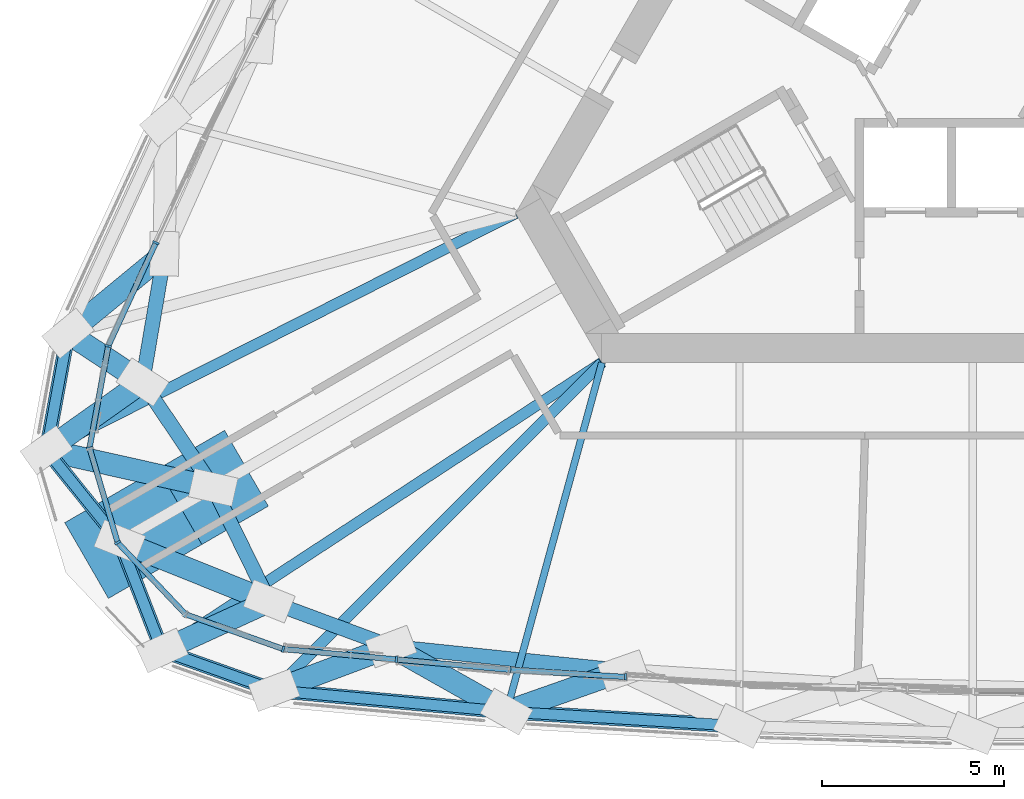
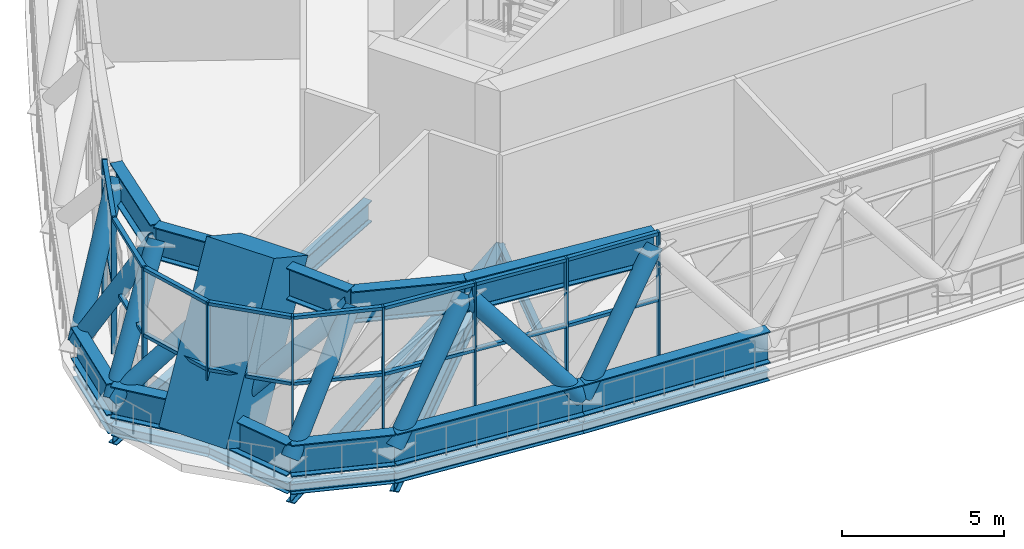
# One storey, part 1 of 35: 46 members, 10 beams, 3 elements without a shape of their own.
"""IFC4 building model written with IfcOpenShell, lengths in metres."""

import ifcopenshell
import ifcopenshell.guid

model = None  # the IFC model being written
_history = None  # IfcOwnerHistory: only IFC2X3 demands one
_inside = {}  # id of a spatial element -> (the spatial element, [elements in it])
_under = {}  # id of a project, library or spatial element -> (it, [spatial elements below it])
_declared = {}  # id of a project -> (the project, [libraries it declares])
_typed = {}  # id of a type object -> (the type object, [elements of that type])
_made_of = {}  # id of a material, layer set ... -> (it, [elements and type objects made of it])


def new_model(schema):
    """Start an empty IFC model of exactly this schema.

    Asked for "IFC4X3", IfcOpenShell would pick the latest addendum, in which some entities
    have other attributes; the version numbers below select the first issue.
    IFC2X3 requires an IfcOwnerHistory on every rooted entity: one is made here for all.
    """
    global model, _history
    if schema == "IFC4X3":
        model = ifcopenshell.file(schema_version=(4, 3, 0, 0))
    else:
        model = ifcopenshell.file(schema=schema)
    _inside.clear()
    _under.clear()
    _declared.clear()
    _typed.clear()
    _made_of.clear()
    _history = None
    if model.schema == "IFC2X3":
        org = make("IfcOrganization", Name="unknown")
        user = make(
            "IfcPersonAndOrganization",
            ThePerson=make("IfcPerson", FamilyName="unknown"),
            TheOrganization=org,
        )
        app = make(
            "IfcApplication",
            ApplicationDeveloper=org,
            Version="unknown",
            ApplicationFullName="unknown",
            ApplicationIdentifier="unknown",
        )
        _history = make(
            "IfcOwnerHistory",
            OwningUser=user,
            OwningApplication=app,
            ChangeAction="ADDED",
            CreationDate=0,
        )
    return model


def make(cls, **values):
    """One entity of the class cls with the attributes given. An attribute that is None is left unset."""
    return model.create_entity(
        cls, **{name: value for name, value in values.items() if value is not None}
    )


def rooted(cls, **values):
    """An entity with a GlobalId (a new one), such as an element, a storey or a relation."""
    return make(cls, GlobalId=ifcopenshell.guid.new(), OwnerHistory=_history, **values)


def si_unit(unit_type, name, prefix=None):
    """IfcSIUnit, for example si_unit("LENGTHUNIT", "METRE", prefix="MILLI")."""
    return make("IfcSIUnit", UnitType=unit_type, Prefix=prefix, Name=name)


def assignment(units):
    """IfcUnitAssignment: the units of a project."""
    return None if units is None else make("IfcUnitAssignment", Units=units)


def point(xyz):
    """IfcCartesianPoint."""
    return None if xyz is None else make("IfcCartesianPoint", Coordinates=xyz)


def direction(xyz):
    """IfcDirection."""
    return None if xyz is None else make("IfcDirection", DirectionRatios=xyz)


def frame(location, z_axis=None, x_axis=None):
    """IfcAxis2Placement3D, a coordinate frame: its origin and axes. An axis left out is left unset."""
    return make(
        "IfcAxis2Placement3D",
        Location=point(location),
        Axis=direction(z_axis),
        RefDirection=direction(x_axis),
    )


def frame_2d(location, x_axis=None):
    """IfcAxis2Placement2D, a coordinate frame in the plane: its origin and x axis."""
    return make(
        "IfcAxis2Placement2D", Location=point(location), RefDirection=direction(x_axis)
    )


def origin():
    """The frame at (0, 0, 0) with its axes left unset."""
    return frame((0.0, 0.0, 0.0))


def origin_2d():
    """The frame at (0, 0) in the plane with its x axis left unset."""
    return frame_2d((0.0, 0.0))


def place(relative_to, where):
    """IfcLocalPlacement: puts the frame where relative to a parent placement (None: the world)."""
    return make(
        "IfcLocalPlacement", PlacementRelTo=relative_to, RelativePlacement=where
    )


def context(
    kind, dimensions, precision=None, world=None, true_north=None, identifier=None
):
    """IfcGeometricRepresentationContext, for example the 3D "Model" context."""
    return make(
        "IfcGeometricRepresentationContext",
        ContextIdentifier=identifier,
        ContextType=kind,
        CoordinateSpaceDimension=dimensions,
        Precision=precision,
        WorldCoordinateSystem=world,
        TrueNorth=true_north,
    )


def subcontext(parent, identifier, kind, view, scale=None):
    """IfcGeometricRepresentationSubContext, for example "Body" below "Model"."""
    return make(
        "IfcGeometricRepresentationSubContext",
        ContextIdentifier=identifier,
        ContextType=kind,
        ParentContext=parent,
        TargetScale=scale,
        TargetView=view,
    )


def project(units=None, contexts=None):
    """IfcProject with its units and contexts."""
    return rooted(
        "IfcProject",
        Name="project",
        RepresentationContexts=contexts,
        UnitsInContext=assignment(units),
    )


def spatial(cls, under=None, at=None, **own):
    """A site, building, storey or space (cls), placed at a placement, below another one or the project."""
    s = rooted(cls, ObjectPlacement=at, **own)
    if under is not None:
        _under.setdefault(under.id(), (under, []))[1].append(s)
    return s


def profile(cls, at=None, kind="AREA", **sizes):
    """A parametric profile (cls). Its sizes go by their IFC names, for example OverallWidth=200.0."""
    return make(cls, ProfileType=kind, Position=at, **sizes)


def rectangle(**sizes):
    """IfcRectangleProfileDef."""
    return profile("IfcRectangleProfileDef", **sizes)


def hollow_circle(**sizes):
    """IfcCircleHollowProfileDef."""
    return profile("IfcCircleHollowProfileDef", **sizes)


def i_section(**sizes):
    """IfcIShapeProfileDef."""
    return profile("IfcIShapeProfileDef", **sizes)


def extrude(swept, where, along, depth):
    """IfcExtrudedAreaSolid: the profile swept, set in the frame where, extruded along a direction by depth."""
    return make(
        "IfcExtrudedAreaSolid",
        SweptArea=swept,
        Position=where,
        ExtrudedDirection=direction(along),
        Depth=depth,
    )


def shape(context_of_items, identifier, shape_type, items):
    """IfcShapeRepresentation: the items that make up one representation, for example the "Body"."""
    return make(
        "IfcShapeRepresentation",
        ContextOfItems=context_of_items,
        RepresentationIdentifier=identifier,
        RepresentationType=shape_type,
        Items=items,
    )


def material(Name=None, Category=None):
    """IfcMaterial."""
    return make("IfcMaterial", Name=Name, Category=Category)


def material_profile(
    of_material, cross_section, Name=None, Category=None, Priority=None
):
    """IfcMaterialProfile: a cross section and its material."""
    return make(
        "IfcMaterialProfile",
        Name=Name,
        Material=of_material,
        Profile=cross_section,
        Priority=Priority,
        Category=Category,
    )


def profile_set(profiles, Name=None, composite=None):
    """IfcMaterialProfileSet."""
    return make(
        "IfcMaterialProfileSet",
        Name=Name,
        MaterialProfiles=profiles,
        CompositeProfile=composite,
    )


def made_of(thing, what):
    """Note that an element or type object is made of a material, layer set ...; save() writes the relation."""
    if what is not None:
        _made_of.setdefault(what.id(), (what, []))[1].append(thing)
    return thing


def type_object(cls, material=None, **own):
    """A type object (cls), such as IfcWallType, which elements share."""
    return made_of(rooted(cls, **own), material)


def element(
    cls,
    number,
    at=None,
    inside=None,
    cuts=None,
    type_object=None,
    material=None,
    context=None,
    identifier="Body",
    shape_type=None,
    held_by="IfcProductDefinitionShape",
    body=None,
    shapes=None,
    **own,
):
    """One element of the class cls, such as IfcWall. Its Tag is "e" and its number.

    at: its placement. inside: the storey or other place that contains it. cuts: it is an
    opening in that element (IfcRelVoidsElement). A single representation is given by context,
    identifier, shape_type and body (its items); several are given by shapes. held_by: the class
    of the entity that holds the representations. save() writes the other relations.
    """
    e = rooted(cls, Tag="e%d" % number, ObjectPlacement=at, **own)
    if body is not None:
        shapes = [shape(context, identifier, shape_type, body)]
    if shapes is not None:
        e.Representation = make(held_by, Representations=shapes)
    if inside is not None:
        _inside.setdefault(inside.id(), (inside, []))[1].append(e)
    if cuts is not None:
        rooted(
            "IfcRelVoidsElement", RelatingBuildingElement=cuts, RelatedOpeningElement=e
        )
    if type_object is not None:
        _typed.setdefault(type_object.id(), (type_object, []))[1].append(e)
    return made_of(e, material)


def aggregate(whole, parts):
    """IfcRelAggregates: a whole, such as a stair, and the parts it consists of."""
    return rooted("IfcRelAggregates", RelatingObject=whole, RelatedObjects=parts)


def save(model, path):
    """Write the relations noted so far, then the file.

    IfcRelAggregates (storeys below a building ...), IfcRelContainedInSpatialStructure (elements
    in a storey), IfcRelDefinesByType, IfcRelAssociatesMaterial and IfcRelDeclares: one each for
    every whole, place, type object, material and project.
    """
    for whole, parts in _under.values():
        aggregate(whole, parts)
    for where, things in _inside.values():
        rooted(
            "IfcRelContainedInSpatialStructure",
            RelatedElements=things,
            RelatingStructure=where,
        )
    for kind, things in _typed.values():
        rooted("IfcRelDefinesByType", RelatedObjects=things, RelatingType=kind)
    for what, things in _made_of.values():
        rooted("IfcRelAssociatesMaterial", RelatedObjects=things, RelatingMaterial=what)
    for by, libraries in _declared.values():
        rooted("IfcRelDeclares", RelatingContext=by, RelatedDefinitions=libraries)
    model.write(path)


model = new_model("IFC4")

# Units and contexts
model_context = context("Model", 3, precision=1e-05, world=origin(), true_north=direction((0.0, 1.0)))
body_context = subcontext(model_context, "Body", "Model", "MODEL_VIEW")
ifc_project = project(units=[si_unit("LENGTHUNIT", "METRE"), si_unit("AREAUNIT", "SQUARE_METRE"), si_unit("VOLUMEUNIT", "CUBIC_METRE"), si_unit("PLANEANGLEUNIT", "RADIAN"), si_unit("MASSUNIT", "GRAM", prefix="KILO")], contexts=[model_context])

# Site, building, storey
site_placement = place(None, origin())
site = spatial("IfcSite", under=ifc_project, at=site_placement, CompositionType="ELEMENT")
building_placement = place(site_placement, origin())
building = spatial("IfcBuilding", under=site, at=building_placement, Name="Mestral Congress Tower", CompositionType="ELEMENT")
storey_placement = place(building_placement, frame((0.0, 0.0, 196.199951171875)))
storey = spatial("IfcBuildingStorey", under=building, at=storey_placement, Name="L46", CompositionType="ELEMENT", Elevation=196.199951171875)

# Members
ifc_material_1 = material(Name="Steel S355", Category="steel")
ifc_material_profile_1 = material_profile(ifc_material_1, i_section(OverallWidth=0.39990234375, OverallDepth=1.199951171875, WebThickness=0.02001953125, FlangeThickness=0.0400390625, FilletRadius=0.010009765625, at=origin_2d()), Name="WPG 1200")
ifc_profile_set_1 = profile_set([ifc_material_profile_1], Name="Steel S355")
member_type_1 = type_object("IfcMemberType", Name="Belt chord WPG 1200 S355", PredefinedType="CHORD", material=ifc_profile_set_1)
member_1_placement = place(storey_placement, frame((-22.357421875, -19.437255859375, 0.60009765625), z_axis=(0.995810239959, -0.09144378597, 0.0), x_axis=(0.09144378597, 0.995810239959, 0.0)))
element("IfcMember", 1, at=member_1_placement, inside=storey, type_object=member_type_1, Name="MB-L46-BC3-S00", PredefinedType="CHORD", context=body_context, shape_type="SweptSolid", body=[
    extrude(i_section(OverallWidth=0.39990234375, OverallDepth=1.199951171875, WebThickness=0.02001953125, FlangeThickness=0.0400390625, FilletRadius=0.010009765625, at=origin_2d()), origin(), (0.0, 0.0, 1.0), 6.399658203125),
])
member_2_placement = place(storey_placement, frame((-15.984619140625, -20.0224609375, 0.60009765625), z_axis=(0.998137865433, -0.060998373661, 0.0), x_axis=(0.060998373661, 0.998137865433, 0.0)))
element("IfcMember", 2, at=member_2_placement, inside=storey, type_object=member_type_1, Name="MB-L46-BC3-S01", PredefinedType="CHORD", context=body_context, shape_type="SweptSolid", body=[
    extrude(i_section(OverallWidth=0.39990234375, OverallDepth=1.199951171875, WebThickness=0.02001953125, FlangeThickness=0.0400390625, FilletRadius=0.010009765625, at=origin_2d()), origin(), (0.0, 0.0, 1.0), 6.39990234375),
])
member_3_placement = place(storey_placement, frame((-28.01171875, -9.6435546875, 0.60009765625), z_axis=(-0.180729856011, -0.983532774821, 0.0), x_axis=(0.983532774821, -0.180729856011, 0.0)))
element("IfcMember", 3, at=member_3_placement, inside=storey, type_object=member_type_1, Name="MB-L46-BC3-W07", PredefinedType="CHORD", context=body_context, shape_type="SweptSolid", body=[
    extrude(i_section(OverallWidth=0.39990234375, OverallDepth=1.199951171875, WebThickness=0.02001953125, FlangeThickness=0.0400390625, FilletRadius=0.010009765625, at=origin_2d()), origin(), (0.0, 0.0, 1.0), 3.260986328125),
])
for number, where, z_axis, x_axis, name in (
    (4, (-28.60107421875, -12.850830078125, 0.60009765625), (0.626502543472, -0.779419375576, 0.0), (0.779419375576, 0.626502543472, 0.0), "MB-L46-BC3-SW1"),
    (5, (-26.590576171875, -15.35205078125, 0.60009765625), (0.361755943135, -0.932272834317, 0.0), (0.932272834317, 0.361755943135, 0.0), "MB-L46-BC3-SW"),
):
    element("IfcMember", number, at=place(storey_placement, frame(where, z_axis=z_axis, x_axis=x_axis)), inside=storey, type_object=member_type_1, Name=name, PredefinedType="CHORD", context=body_context, shape_type="SweptSolid", body=[
        extrude(i_section(OverallWidth=0.39990234375, OverallDepth=1.199951171875, WebThickness=0.02001953125, FlangeThickness=0.0400390625, FilletRadius=0.010009765625, at=origin_2d()), origin(), (0.0, 0.0, 1.0), 3.208984375),
    ])
member_4_placement = place(storey_placement, frame((-25.4296875, -18.34375, 0.60009765625), z_axis=(0.942103834289, -0.335321286855, 0.0), x_axis=(0.335321286855, 0.942103834289, 0.0)))
element("IfcMember", 6, at=member_4_placement, inside=storey, type_object=member_type_1, Name="MB-L46-BC3-SW3", PredefinedType="CHORD", context=body_context, shape_type="SweptSolid", body=[
    extrude(i_section(OverallWidth=0.39990234375, OverallDepth=1.199951171875, WebThickness=0.02001953125, FlangeThickness=0.0400390625, FilletRadius=0.010009765625, at=origin_2d()), origin(), (0.0, 0.0, 1.0), 3.260986328125),
])
member_5_placement = place(storey_placement, frame((-19.150390625, -18.23681640625, 4.550048828125), z_axis=(0.99462127512, -0.103578564764, 0.0), x_axis=(0.103578564764, 0.99462127512, 0.0)))
element("IfcMember", 7, at=member_5_placement, inside=storey, type_object=member_type_1, Name="MB-L46-TC3-S00", PredefinedType="CHORD", context=body_context, shape_type="SweptSolid", body=[
    extrude(i_section(OverallWidth=0.39990234375, OverallDepth=1.199951171875, WebThickness=0.02001953125, FlangeThickness=0.0400390625, FilletRadius=0.010009765625, at=origin_2d()), origin(), (0.0, 0.0, 1.0), 6.3994140625),
])
member_6_placement = place(storey_placement, frame((-25.368896484375, -7.46630859375, 4.550048828125), z_axis=(-0.167572873606, -0.985859691859, 0.0), x_axis=(0.985859691859, -0.167572873606, 0.0)))
element("IfcMember", 8, at=member_6_placement, inside=storey, type_object=member_type_1, Name="MB-L46-TC3-W06", PredefinedType="CHORD", context=body_context, shape_type="SweptSolid", body=[
    extrude(i_section(OverallWidth=0.39990234375, OverallDepth=1.199951171875, WebThickness=0.02001953125, FlangeThickness=0.0400390625, FilletRadius=0.010009765625, at=origin_2d()), origin(), (0.0, 0.0, 1.0), 3.566650390625),
])
member_7_placement = place(storey_placement, frame((-25.966552734375, -10.982421875, 4.550048828125), z_axis=(0.557206909955, -0.83037368666, 0.0), x_axis=(0.83037368666, 0.557206909955, 0.0)))
element("IfcMember", 9, at=member_7_placement, inside=storey, type_object=member_type_1, Name="MB-L46-TC3-SW1", PredefinedType="CHORD", context=body_context, shape_type="SweptSolid", body=[
    extrude(i_section(OverallWidth=0.39990234375, OverallDepth=1.199951171875, WebThickness=0.02001953125, FlangeThickness=0.0400390625, FilletRadius=0.010009765625, at=origin_2d()), origin(), (0.0, 0.0, 1.0), 3.480224609375),
])
member_8_placement = place(storey_placement, frame((-24.02734375, -13.872314453125, 4.550048828125), z_axis=(0.440494340717, -0.897755387506, 0.0), x_axis=(0.897755387506, 0.440494340717, 0.0)))
element("IfcMember", 10, at=member_8_placement, inside=storey, type_object=member_type_1, Name="MB-L46-TC3-SW", PredefinedType="CHORD", context=body_context, shape_type="SweptSolid", body=[
    extrude(i_section(OverallWidth=0.39990234375, OverallDepth=1.199951171875, WebThickness=0.02001953125, FlangeThickness=0.0400390625, FilletRadius=0.010009765625, at=origin_2d()), origin(), (0.0, 0.0, 1.0), 3.47998046875),
])
member_9_placement = place(storey_placement, frame((-22.494384765625, -16.99658203125, 4.550048828125), z_axis=(0.93759177789, -0.347737915725, 0.0), x_axis=(0.347737915725, 0.93759177789, 0.0)))
element("IfcMember", 11, at=member_9_placement, inside=storey, type_object=member_type_1, Name="MB-L46-TC3-SW3", PredefinedType="CHORD", context=body_context, shape_type="SweptSolid", body=[
    extrude(i_section(OverallWidth=0.39990234375, OverallDepth=1.199951171875, WebThickness=0.02001953125, FlangeThickness=0.0400390625, FilletRadius=0.010009765625, at=origin_2d()), origin(), (0.0, 0.0, 1.0), 3.566650390625),
])
ifc_material_profile_2 = material_profile(ifc_material_1, hollow_circle(Radius=0.304931640625, WallThickness=0.02490234375, at=origin_2d()), Name="CHS 610x25")
ifc_profile_set_2 = profile_set([ifc_material_profile_2], Name="Steel S355")
member_type_2 = type_object("IfcMemberType", Name="Belt diagonal CHS 610x25 S355", PredefinedType="BRACE", material=ifc_profile_set_2)
member_10_placement = place(storey_placement, frame((-22.357421875, -19.437255859375, 0.60009765625), z_axis=(0.613475933993, 0.229633158301, 0.755589763708), x_axis=(-0.350560826054, 0.936539965638, 0.0)))
element("IfcMember", 12, at=member_10_placement, inside=storey, type_object=member_type_2, Name="MD-L46-BD3-S00.S00", PredefinedType="BRACE", context=body_context, shape_type="SweptSolid", body=[
    extrude(hollow_circle(Radius=0.304931640625, WallThickness=0.02490234375, at=origin_2d()), origin(), (0.0, 0.0, 1.0), 5.2275390625),
])
member_11_placement = place(storey_placement, frame((-15.984619140625, -20.0224609375, 0.60009765625), z_axis=(-0.589776154354, 0.332661586561, 0.735867078067), x_axis=(-0.491284602897, -0.870999103878, 0.0)))
element("IfcMember", 13, at=member_11_placement, inside=storey, type_object=member_type_2, Name="MD-L46-BD3-S01.S00", PredefinedType="BRACE", context=body_context, shape_type="SweptSolid", body=[
    extrude(hollow_circle(Radius=0.304931640625, WallThickness=0.02490234375, at=origin_2d()), origin(), (0.0, 0.0, 1.0), 5.36767578125),
])
member_12_placement = place(storey_placement, frame((-15.984619140625, -20.0224609375, 0.60009765625), z_axis=(0.614577863164, 0.215693192361, 0.758795424919), x_axis=(-0.331158574215, 0.943575115571, 0.0)))
element("IfcMember", 14, at=member_12_placement, inside=storey, type_object=member_type_2, Name="MD-L46-BD3-S01.S01", PredefinedType="BRACE", context=body_context, shape_type="SweptSolid", body=[
    extrude(hollow_circle(Radius=0.304931640625, WallThickness=0.02490234375, at=origin_2d()), origin(), (0.0, 0.0, 1.0), 5.20556640625),
])
member_13_placement = place(storey_placement, frame((-28.01171875, -9.6435546875, 0.60009765625), z_axis=(0.505558929114, 0.416496492364, 0.755606273823), x_axis=(-0.635847194862, 0.771814967973, 0.0)))
element("IfcMember", 15, at=member_13_placement, inside=storey, type_object=member_type_2, Name="MD-L46-BD3-W07.W06", PredefinedType="BRACE", context=body_context, shape_type="SweptSolid", body=[
    extrude(hollow_circle(Radius=0.304931640625, WallThickness=0.02490234375, at=origin_2d()), origin(), (0.0, 0.0, 1.0), 5.2275390625),
])
member_14_placement = place(storey_placement, frame((-28.01171875, -9.6435546875, 0.60009765625), z_axis=(0.440280221064, -0.288229286417, 0.850339464797), x_axis=(0.547720194469, 0.836661573499, 0.0)))
element("IfcMember", 16, at=member_14_placement, inside=storey, type_object=member_type_2, Name="MD-L46-BD3-W07.SW1", PredefinedType="BRACE", context=body_context, shape_type="SweptSolid", body=[
    extrude(hollow_circle(Radius=0.304931640625, WallThickness=0.02490234375, at=origin_2d()), origin(), (0.0, 0.0, 1.0), 4.645263671875),
])
member_15_placement = place(storey_placement, frame((-28.60107421875, -12.850830078125, 0.60009765625), z_axis=(0.51633698962, 0.366187283992, 0.774146618021), x_axis=(-0.578489134537, 0.815690088957, 0.0)))
element("IfcMember", 17, at=member_15_placement, inside=storey, type_object=member_type_2, Name="MD-L46-BD3-SW1.SW1", PredefinedType="BRACE", context=body_context, shape_type="SweptSolid", body=[
    extrude(hollow_circle(Radius=0.304931640625, WallThickness=0.02490234375, at=origin_2d()), origin(), (0.0, 0.0, 1.0), 5.102294921875),
])
member_16_placement = place(storey_placement, frame((-28.60107421875, -12.850830078125, 0.60009765625), z_axis=(0.746245016304, -0.166664308114, 0.644469847271), x_axis=(0.217967341213, 0.975956063644, 0.0)))
element("IfcMember", 18, at=member_16_placement, inside=storey, type_object=member_type_2, Name="MD-L46-BD3-SW1.SW", PredefinedType="BRACE", context=body_context, shape_type="SweptSolid", body=[
    extrude(hollow_circle(Radius=0.304931640625, WallThickness=0.02490234375, at=origin_2d()), origin(), (0.0, 0.0, 1.0), 6.12890625),
])
member_17_placement = place(storey_placement, frame((-26.590576171875, -15.35205078125, 0.60009765625), z_axis=(0.691539738799, -0.277638078469, 0.66685072321), x_axis=(0.372572879782, 0.928002936014, 0.0)))
element("IfcMember", 19, at=member_17_placement, inside=storey, type_object=member_type_2, Name="MD-L46-BD3-SW.SW3", PredefinedType="BRACE", context=body_context, shape_type="SweptSolid", body=[
    extrude(hollow_circle(Radius=0.304931640625, WallThickness=0.02490234375, at=origin_2d()), origin(), (0.0, 0.0, 1.0), 5.92333984375),
])
member_18_placement = place(storey_placement, frame((-25.4296875, -18.34375, 0.60009765625), z_axis=(0.575295496045, 0.264033980469, 0.77415834904), x_axis=(-0.417120575832, 0.908851156801, 0.0)))
element("IfcMember", 20, at=member_18_placement, inside=storey, type_object=member_type_2, Name="MD-L46-BD3-SW3.SW3", PredefinedType="BRACE", context=body_context, shape_type="SweptSolid", body=[
    extrude(hollow_circle(Radius=0.304931640625, WallThickness=0.02490234375, at=origin_2d()), origin(), (0.0, 0.0, 1.0), 5.102294921875),
])

# Curtain wall, members
ifc_material_2 = material(Name="Clear low-emissivity double glazing", Category="glass")
curtain_wall_type = type_object("IfcCurtainWallType", Name="Facade refuge band screen", PredefinedType="USERDEFINED", material=ifc_material_2)
placement = place(storey_placement, origin())
curtain_wall_1 = element("IfcCurtainWall", 21, at=placement, inside=storey, type_object=curtain_wall_type, Name="Facade refuge band screen face 1", ObjectType="CURTAIN WALL", PredefinedType="USERDEFINED")
ifc_material_3 = material(Name="Anodised aluminium", Category="aluminium")
ifc_material_profile_3 = material_profile(ifc_material_3, rectangle(XDim=0.179931640625, YDim=0.06005859375, at=origin_2d()), Name="CW3 mullion 180 x 60")
ifc_profile_set_3 = profile_set([ifc_material_profile_3], Name="Anodised aluminium")
member_type_3 = type_object("IfcMemberType", Name="Facade refuge band screen mullion", PredefinedType="MULLION", material=ifc_profile_set_3)
member_19_placement = place(storey_placement, frame((-19.00244140625, -18.59033203125, 0.0), z_axis=(0.0, 0.0, 1.0), x_axis=(-0.091446002282, -0.995810036436, 0.0)))
member_19 = element("IfcMember", 22, at=member_19_placement, type_object=member_type_3, Name="Facade refuge band screen mullion", PredefinedType="MULLION", context=body_context, shape_type="SweptSolid", body=[
    extrude(rectangle(XDim=0.179931640625, YDim=0.06005859375, at=origin_2d()), origin(), (0.0, 0.0, 1.0), 5.150146484375),
])
member_20_placement = place(storey_placement, frame((-15.896728515625, -18.87548828125, 0.0), z_axis=(0.0, 0.0, 1.0), x_axis=(-0.076236987842, -0.997089725995, 0.0)))
member_20 = element("IfcMember", 23, at=member_20_placement, type_object=member_type_3, Name="Facade refuge band screen mullion", PredefinedType="MULLION", context=body_context, shape_type="SweptSolid", body=[
    extrude(rectangle(XDim=0.179931640625, YDim=0.06005859375, at=origin_2d()), origin(), (0.0, 0.0, 1.0), 5.150146484375),
])
member_21_placement = place(storey_placement, frame((-12.720458984375, -19.06982421875, 0.0), z_axis=(0.0, 0.0, 1.0), x_axis=(-0.061011955943, -0.998137035297, 0.0)))
member_21 = element("IfcMember", 24, at=member_21_placement, type_object=member_type_3, Name="Facade refuge band screen mullion", PredefinedType="MULLION", context=body_context, shape_type="SweptSolid", body=[
    extrude(rectangle(XDim=0.179931640625, YDim=0.06005859375, at=origin_2d()), origin(), (0.0, 0.0, 1.0), 5.150146484375),
])

# Curtain wall, member
curtain_wall_2 = element("IfcCurtainWall", 25, at=placement, inside=storey, type_object=curtain_wall_type, Name="Facade refuge band screen face 3", ObjectType="CURTAIN WALL", PredefinedType="USERDEFINED")
member_22_placement = place(storey_placement, frame((-25.60107421875, -7.161376953125, 0.0), z_axis=(0.0, 0.0, 1.0), x_axis=(-0.908119790038, 0.418710457168, 0.0)))
member_22 = element("IfcMember", 26, at=member_22_placement, type_object=member_type_3, Name="Facade refuge band screen mullion", PredefinedType="MULLION", context=body_context, shape_type="SweptSolid", body=[
    extrude(rectangle(XDim=0.179931640625, YDim=0.06005859375, at=origin_2d()), origin(), (0.0, 0.0, 1.0), 5.150146484375),
])

# Curtain wall, members
curtain_wall_3 = element("IfcCurtainWall", 27, at=placement, inside=storey, type_object=curtain_wall_type, Name="Facade refuge band screen corner 3", ObjectType="CURTAIN WALL", PredefinedType="USERDEFINED")
member_23_placement = place(storey_placement, frame((-26.906982421875, -9.99365234375, 0.0), z_axis=(0.0, 0.0, 1.0), x_axis=(-0.983542787462, 0.180675358674, 0.0)))
member_23 = element("IfcMember", 28, at=member_23_placement, type_object=member_type_3, Name="Facade refuge band screen mullion", PredefinedType="MULLION", context=body_context, shape_type="SweptSolid", body=[
    extrude(rectangle(XDim=0.179931640625, YDim=0.06005859375, at=origin_2d()), origin(), (0.0, 0.0, 1.0), 5.150146484375),
])
member_24_placement = place(storey_placement, frame((-27.420166015625, -12.78759765625, 0.0), z_axis=(0.0, 0.0, 1.0), x_axis=(-0.998573622053, -0.0533921468, 0.0)))
member_24 = element("IfcMember", 29, at=member_24_placement, type_object=member_type_3, Name="Facade refuge band screen mullion", PredefinedType="MULLION", context=body_context, shape_type="SweptSolid", body=[
    extrude(rectangle(XDim=0.179931640625, YDim=0.06005859375, at=origin_2d()), origin(), (0.0, 0.0, 1.0), 5.150146484375),
])
member_25_placement = place(storey_placement, frame((-26.649169921875, -15.3857421875, 0.0), z_axis=(0.0, 0.0, 1.0), x_axis=(-0.866025403784, -0.5, 0.0)))
member_25 = element("IfcMember", 30, at=member_25_placement, type_object=member_type_3, Name="Facade refuge band screen mullion", PredefinedType="MULLION", context=body_context, shape_type="SweptSolid", body=[
    extrude(rectangle(XDim=0.179931640625, YDim=0.06005859375, at=origin_2d()), origin(), (0.0, 0.0, 1.0), 5.150146484375),
])
member_26_placement = place(storey_placement, frame((-24.78466796875, -17.352783203125, 0.0), z_axis=(0.0, 0.0, 1.0), x_axis=(-0.545525766518, -0.838094050847, 0.0)))
member_26 = element("IfcMember", 31, at=member_26_placement, type_object=member_type_3, Name="Facade refuge band screen mullion", PredefinedType="MULLION", context=body_context, shape_type="SweptSolid", body=[
    extrude(rectangle(XDim=0.179931640625, YDim=0.06005859375, at=origin_2d()), origin(), (0.0, 0.0, 1.0), 5.150146484375),
])
member_27_placement = place(storey_placement, frame((-22.108154296875, -18.30517578125, 0.0), z_axis=(0.0, 0.0, 1.0), x_axis=(-0.335301943281, -0.942110718988, 0.0)))
member_27 = element("IfcMember", 32, at=member_27_placement, type_object=member_type_3, Name="Facade refuge band screen mullion", PredefinedType="MULLION", context=body_context, shape_type="SweptSolid", body=[
    extrude(rectangle(XDim=0.179931640625, YDim=0.06005859375, at=origin_2d()), origin(), (0.0, 0.0, 1.0), 5.150146484375),
])

# Member
ifc_material_profile_4 = material_profile(ifc_material_3, rectangle(XDim=0.14990234375, YDim=0.1201171875, at=origin_2d()), Name="CW3 transom 150 x 120")
ifc_profile_set_4 = profile_set([ifc_material_profile_4], Name="Anodised aluminium")
member_type_4 = type_object("IfcMemberType", Name="Facade refuge band screen transom", PredefinedType="USERDEFINED", material=ifc_profile_set_4)
member_28_placement = place(storey_placement, frame((-22.078369140625, -18.30810546875, 2.60009765625), z_axis=(0.995815649139, -0.091384861606, 0.0), x_axis=(0.091384861606, 0.995815649139, 0.0)))
member_28 = element("IfcMember", 33, at=member_28_placement, type_object=member_type_4, Name="Facade refuge band screen transom", ObjectType="TRANSOM", PredefinedType="USERDEFINED", context=body_context, shape_type="SweptSolid", body=[
    extrude(rectangle(XDim=0.14990234375, YDim=0.1201171875, at=origin_2d()), origin(), (0.0, 0.0, 1.0), 3.058837890625),
])

member_29_placement = place(storey_placement, frame((-22.078369140625, -18.30810546875, 5.090087890625), z_axis=(0.995815649139, -0.091384861606, 0.0), x_axis=(0.091384861606, 0.995815649139, 0.0)))
member_29 = element("IfcMember", 34, at=member_29_placement, type_object=member_type_4, Name="Facade refuge band screen transom", ObjectType="TRANSOM", PredefinedType="USERDEFINED", context=body_context, shape_type="SweptSolid", body=[
    extrude(rectangle(XDim=0.14990234375, YDim=0.1201171875, at=origin_2d()), origin(), (0.0, 0.0, 1.0), 3.058837890625),
])

member_30_placement = place(storey_placement, frame((-18.97265625, -18.59326171875, 2.60009765625), z_axis=(0.995814982533, -0.091392125281, 0.0), x_axis=(0.091392125281, 0.995814982533, 0.0)))
member_30 = element("IfcMember", 35, at=member_30_placement, type_object=member_type_4, Name="Facade refuge band screen transom", ObjectType="TRANSOM", PredefinedType="USERDEFINED", context=body_context, shape_type="SweptSolid", body=[
    extrude(rectangle(XDim=0.14990234375, YDim=0.1201171875, at=origin_2d()), origin(), (0.0, 0.0, 1.0), 3.05859375),
])

member_31_placement = place(storey_placement, frame((-18.97265625, -18.59326171875, 5.090087890625), z_axis=(0.995814982533, -0.091392125281, 0.0), x_axis=(0.091392125281, 0.995814982533, 0.0)))
member_31 = element("IfcMember", 36, at=member_31_placement, type_object=member_type_4, Name="Facade refuge band screen transom", ObjectType="TRANSOM", PredefinedType="USERDEFINED", context=body_context, shape_type="SweptSolid", body=[
    extrude(rectangle(XDim=0.14990234375, YDim=0.1201171875, at=origin_2d()), origin(), (0.0, 0.0, 1.0), 3.05859375),
])

member_32_placement = place(storey_placement, frame((-15.86669921875, -18.87744140625, 2.60009765625), z_axis=(0.998133563437, -0.06106872801, 0.0), x_axis=(0.06106872801, 0.998133563437, 0.0)))
member_32 = element("IfcMember", 37, at=member_32_placement, type_object=member_type_4, Name="Facade refuge band screen transom", ObjectType="TRANSOM", PredefinedType="USERDEFINED", context=body_context, shape_type="SweptSolid", body=[
    extrude(rectangle(XDim=0.14990234375, YDim=0.1201171875, at=origin_2d()), origin(), (0.0, 0.0, 1.0), 3.122314453125),
])

member_33_placement = place(storey_placement, frame((-15.86669921875, -18.87744140625, 5.090087890625), z_axis=(0.998133563437, -0.06106872801, 0.0), x_axis=(0.06106872801, 0.998133563437, 0.0)))
member_33 = element("IfcMember", 38, at=member_33_placement, type_object=member_type_4, Name="Facade refuge band screen transom", ObjectType="TRANSOM", PredefinedType="USERDEFINED", context=body_context, shape_type="SweptSolid", body=[
    extrude(rectangle(XDim=0.14990234375, YDim=0.1201171875, at=origin_2d()), origin(), (0.0, 0.0, 1.0), 3.122314453125),
])

aggregate(curtain_wall_1, [member_19, member_20, member_21, member_28, member_29, member_30, member_31, member_32, member_33])

member_34_placement = place(storey_placement, frame((-25.613525390625, -7.188720703125, 2.60009765625), z_axis=(-0.418734199575, -0.908108842654, 0.0), x_axis=(0.908108842654, -0.418734199575, 0.0)))
member_34 = element("IfcMember", 39, at=member_34_placement, type_object=member_type_4, Name="Facade refuge band screen transom", ObjectType="TRANSOM", PredefinedType="USERDEFINED", context=body_context, shape_type="SweptSolid", body=[
    extrude(rectangle(XDim=0.14990234375, YDim=0.1201171875, at=origin_2d()), origin(), (0.0, 0.0, 1.0), 3.05859375),
])

member_35_placement = place(storey_placement, frame((-25.613525390625, -7.188720703125, 5.090087890625), z_axis=(-0.418734199575, -0.908108842654, 0.0), x_axis=(0.908108842654, -0.418734199575, 0.0)))
member_35 = element("IfcMember", 40, at=member_35_placement, type_object=member_type_4, Name="Facade refuge band screen transom", ObjectType="TRANSOM", PredefinedType="USERDEFINED", context=body_context, shape_type="SweptSolid", body=[
    extrude(rectangle(XDim=0.14990234375, YDim=0.1201171875, at=origin_2d()), origin(), (0.0, 0.0, 1.0), 3.05859375),
])

aggregate(curtain_wall_2, [member_22, member_34, member_35])

member_36_placement = place(storey_placement, frame((-26.912353515625, -10.023193359375, 2.60009765625), z_axis=(-0.180677518527, -0.983542390698, 0.0), x_axis=(0.983542390698, -0.180677518527, 0.0)))
member_36 = element("IfcMember", 41, at=member_36_placement, type_object=member_type_4, Name="Facade refuge band screen transom", ObjectType="TRANSOM", PredefinedType="USERDEFINED", context=body_context, shape_type="SweptSolid", body=[
    extrude(rectangle(XDim=0.14990234375, YDim=0.1201171875, at=origin_2d()), origin(), (0.0, 0.0, 1.0), 2.78076171875),
])

member_37_placement = place(storey_placement, frame((-26.912353515625, -10.023193359375, 5.090087890625), z_axis=(-0.180677518527, -0.983542390698, 0.0), x_axis=(0.983542390698, -0.180677518527, 0.0)))
member_37 = element("IfcMember", 42, at=member_37_placement, type_object=member_type_4, Name="Facade refuge band screen transom", ObjectType="TRANSOM", PredefinedType="USERDEFINED", context=body_context, shape_type="SweptSolid", body=[
    extrude(rectangle(XDim=0.14990234375, YDim=0.1201171875, at=origin_2d()), origin(), (0.0, 0.0, 1.0), 2.78076171875),
])

member_38_placement = place(storey_placement, frame((-27.41162109375, -12.81640625, 2.60009765625), z_axis=(0.284464684641, -0.958686519772, 0.0), x_axis=(0.958686519772, 0.284464684641, 0.0)))
member_38 = element("IfcMember", 43, at=member_38_placement, type_object=member_type_4, Name="Facade refuge band screen transom", ObjectType="TRANSOM", PredefinedType="USERDEFINED", context=body_context, shape_type="SweptSolid", body=[
    extrude(rectangle(XDim=0.14990234375, YDim=0.1201171875, at=origin_2d()), origin(), (0.0, 0.0, 1.0), 2.650146484375),
])

member_39_placement = place(storey_placement, frame((-27.41162109375, -12.81640625, 5.090087890625), z_axis=(0.284464684641, -0.958686519772, 0.0), x_axis=(0.958686519772, 0.284464684641, 0.0)))
member_39 = element("IfcMember", 44, at=member_39_placement, type_object=member_type_4, Name="Facade refuge band screen transom", ObjectType="TRANSOM", PredefinedType="USERDEFINED", context=body_context, shape_type="SweptSolid", body=[
    extrude(rectangle(XDim=0.14990234375, YDim=0.1201171875, at=origin_2d()), origin(), (0.0, 0.0, 1.0), 2.650146484375),
])

member_40_placement = place(storey_placement, frame((-26.62841796875, -15.40771484375, 2.60009765625), z_axis=(0.68801547121, -0.725696018575, 0.0), x_axis=(0.725696018575, 0.68801547121, 0.0)))
member_40 = element("IfcMember", 45, at=member_40_placement, type_object=member_type_4, Name="Facade refuge band screen transom", ObjectType="TRANSOM", PredefinedType="USERDEFINED", context=body_context, shape_type="SweptSolid", body=[
    extrude(rectangle(XDim=0.14990234375, YDim=0.1201171875, at=origin_2d()), origin(), (0.0, 0.0, 1.0), 2.64990234375),
])

member_41_placement = place(storey_placement, frame((-26.62841796875, -15.40771484375, 5.090087890625), z_axis=(0.68801547121, -0.725696018575, 0.0), x_axis=(0.725696018575, 0.68801547121, 0.0)))
member_41 = element("IfcMember", 46, at=member_41_placement, type_object=member_type_4, Name="Facade refuge band screen transom", ObjectType="TRANSOM", PredefinedType="USERDEFINED", context=body_context, shape_type="SweptSolid", body=[
    extrude(rectangle(XDim=0.14990234375, YDim=0.1201171875, at=origin_2d()), origin(), (0.0, 0.0, 1.0), 2.64990234375),
])

member_42_placement = place(storey_placement, frame((-24.75634765625, -17.36279296875, 2.60009765625), z_axis=(0.942116733429, -0.335285043795, 0.0), x_axis=(0.335285043795, 0.942116733429, 0.0)))
member_42 = element("IfcMember", 47, at=member_42_placement, type_object=member_type_4, Name="Facade refuge band screen transom", ObjectType="TRANSOM", PredefinedType="USERDEFINED", context=body_context, shape_type="SweptSolid", body=[
    extrude(rectangle(XDim=0.14990234375, YDim=0.1201171875, at=origin_2d()), origin(), (0.0, 0.0, 1.0), 2.78076171875),
])

member_43_placement = place(storey_placement, frame((-24.75634765625, -17.36279296875, 5.090087890625), z_axis=(0.942116733429, -0.335285043795, 0.0), x_axis=(0.335285043795, 0.942116733429, 0.0)))
member_43 = element("IfcMember", 48, at=member_43_placement, type_object=member_type_4, Name="Facade refuge band screen transom", ObjectType="TRANSOM", PredefinedType="USERDEFINED", context=body_context, shape_type="SweptSolid", body=[
    extrude(rectangle(XDim=0.14990234375, YDim=0.1201171875, at=origin_2d()), origin(), (0.0, 0.0, 1.0), 2.78076171875),
])

aggregate(curtain_wall_3, [member_23, member_24, member_25, member_26, member_27, member_36, member_37, member_38, member_39, member_40, member_41, member_42, member_43])

# Beams
ifc_material_profile_5 = material_profile(ifc_material_1, i_section(OverallWidth=0.300048828125, OverallDepth=0.800048828125, WebThickness=0.017578125, FlangeThickness=0.032958984375, FilletRadius=0.030029296875, at=origin_2d()), Name="HEB 800")
ifc_profile_set_5 = profile_set([ifc_material_profile_5], Name="Steel S355")
beam_type_1 = type_object("IfcBeamType", Name="Floor beam HEB 800 S355", PredefinedType="BEAM", material=ifc_profile_set_5)
beam_1_placement = place(storey_placement, frame((-22.357421875, -19.437255859375, -0.699951171875), z_axis=(0.707279595154, 0.706933924974, 0.0), x_axis=(-0.706933924974, 0.707279595154, 0.0)))
element("IfcBeam", 49, at=beam_1_placement, inside=storey, type_object=beam_type_1, Name="BM-L46-RB3-S00", PredefinedType="BEAM", context=body_context, shape_type="SweptSolid", body=[
    extrude(i_section(OverallWidth=0.300048828125, OverallDepth=0.800048828125, WebThickness=0.017578125, FlangeThickness=0.032958984375, FilletRadius=0.030029296875, at=origin_2d()), origin(), (0.0, 0.0, 1.0), 12.713134765625),
])
for number, where, z_axis, x_axis, name in (
    (50, (-28.60107421875, -12.850830078125, -0.699951171875), (0.892570324635, 0.450908211924, 0.0), (-0.450908211924, 0.892570324635, 0.0), "BM-L46-RB3-SW1"),
    (51, (-25.4296875, -18.34375, -0.699951171875), (0.836784606531, 0.547532211174, 0.0), (-0.547532211174, 0.836784606531, 0.0), "BM-L46-RB3-SW3"),
):
    element("IfcBeam", number, at=place(storey_placement, frame(where, z_axis=z_axis, x_axis=x_axis)), inside=storey, type_object=beam_type_1, Name=name, PredefinedType="BEAM", context=body_context, shape_type="SweptSolid", body=[
        extrude(i_section(OverallWidth=0.300048828125, OverallDepth=0.800048828125, WebThickness=0.017578125, FlangeThickness=0.032958984375, FilletRadius=0.030029296875, at=origin_2d()), origin(), (0.0, 0.0, 1.0), 14.4169921875),
    ])
ifc_material_profile_6 = material_profile(ifc_material_1, i_section(OverallWidth=0.18994140625, OverallDepth=0.449951171875, WebThickness=0.009521484375, FlangeThickness=0.0146484375, FilletRadius=0.02099609375, at=origin_2d()), Name="IPE 450")
ifc_profile_set_6 = profile_set([ifc_material_profile_6], Name="Steel S355")
beam_type_2 = type_object("IfcBeamType", Name="Floor beam IPE 450 S355", PredefinedType="BEAM", material=ifc_profile_set_6)
beam_2_placement = place(storey_placement, frame((-15.984619140625, -20.0224609375, -0.52490234375), z_axis=(0.263887500815, 0.964553465036, 0.0), x_axis=(-0.964553465036, 0.263887500815, 0.0)))
element("IfcBeam", 52, at=beam_2_placement, inside=storey, type_object=beam_type_2, Name="BM-L46-RB3-S01", PredefinedType="BEAM", context=body_context, shape_type="SweptSolid", body=[
    extrude(i_section(OverallWidth=0.18994140625, OverallDepth=0.449951171875, WebThickness=0.009521484375, FlangeThickness=0.0146484375, FilletRadius=0.02099609375, at=origin_2d()), origin(), (0.0, 0.0, 1.0), 9.92431640625),
])

# Member
ifc_material_4 = material(Name="Concrete C70/85", Category="concrete")
ifc_material_profile_7 = material_profile(ifc_material_4, rectangle(XDim=2.39990234375, YDim=2.39990234375, at=origin_2d()), Name="RC 2400x2400")
ifc_profile_set_7 = profile_set([ifc_material_profile_7], Name="Concrete C70/85")
member_type_5 = type_object("IfcMemberType", Name="Pylon shift strut RC 2400x2400 C70/85", PredefinedType="STRUT", material=ifc_profile_set_7)
member_44_placement = place(storey_placement, frame((-26.590576171875, -15.35205078125, 0.0), z_axis=(0.416242118758, 0.240293692903, 0.876927271627), x_axis=(-0.499962850249, 0.866046851141, 0.0)))
element("IfcMember", 53, at=member_44_placement, inside=storey, type_object=member_type_5, Name="MS-L46-PS3-SW", PredefinedType="STRUT", context=body_context, shape_type="SweptSolid", body=[
    extrude(rectangle(XDim=2.39990234375, YDim=2.39990234375, at=origin_2d()), origin(), (0.0, 0.0, 1.0), 6.157958984375),
])

# Beams
ifc_material_profile_8 = material_profile(ifc_material_1, i_section(OverallWidth=0.300048828125, OverallDepth=0.389892578125, WebThickness=0.010986328125, FlangeThickness=0.01904296875, FilletRadius=0.027099609375, at=origin_2d()), Name="HEA 400")
ifc_profile_set_8 = profile_set([ifc_material_profile_8], Name="Steel S355")
beam_type_3 = type_object("IfcBeamType", Name="Spandrel beam HEA 400 S355", PredefinedType="BEAM", material=ifc_profile_set_8)
beam_3_placement = place(storey_placement, frame((-22.357421875, -19.437255859375, -0.494873046875), z_axis=(0.995810239959, -0.09144378597, 0.0), x_axis=(0.09144378597, 0.995810239959, 0.0)))
element("IfcBeam", 54, at=beam_3_placement, inside=storey, type_object=beam_type_3, Name="SP-L46-SB3-S00", PredefinedType="BEAM", context=body_context, shape_type="SweptSolid", body=[
    extrude(i_section(OverallWidth=0.300048828125, OverallDepth=0.389892578125, WebThickness=0.010986328125, FlangeThickness=0.01904296875, FilletRadius=0.027099609375, at=origin_2d()), origin(), (0.0, 0.0, 1.0), 6.399658203125),
])
beam_4_placement = place(storey_placement, frame((-15.984619140625, -20.0224609375, -0.494873046875), z_axis=(0.998137865433, -0.060998373661, 0.0), x_axis=(0.060998373661, 0.998137865433, 0.0)))
element("IfcBeam", 55, at=beam_4_placement, inside=storey, type_object=beam_type_3, Name="SP-L46-SB3-S01", PredefinedType="BEAM", context=body_context, shape_type="SweptSolid", body=[
    extrude(i_section(OverallWidth=0.300048828125, OverallDepth=0.389892578125, WebThickness=0.010986328125, FlangeThickness=0.01904296875, FilletRadius=0.027099609375, at=origin_2d()), origin(), (0.0, 0.0, 1.0), 6.39990234375),
])
beam_5_placement = place(storey_placement, frame((-28.01171875, -9.6435546875, -0.494873046875), z_axis=(-0.180729856011, -0.983532774821, 0.0), x_axis=(0.983532774821, -0.180729856011, 0.0)))
element("IfcBeam", 56, at=beam_5_placement, inside=storey, type_object=beam_type_3, Name="SP-L46-SB3-W07", PredefinedType="BEAM", context=body_context, shape_type="SweptSolid", body=[
    extrude(i_section(OverallWidth=0.300048828125, OverallDepth=0.389892578125, WebThickness=0.010986328125, FlangeThickness=0.01904296875, FilletRadius=0.027099609375, at=origin_2d()), origin(), (0.0, 0.0, 1.0), 3.260986328125),
])
for number, where, z_axis, x_axis, name in (
    (57, (-28.60107421875, -12.850830078125, -0.494873046875), (0.626502543472, -0.779419375576, 0.0), (0.779419375576, 0.626502543472, 0.0), "SP-L46-SB3-SW1"),
    (58, (-26.590576171875, -15.35205078125, -0.494873046875), (0.361755943135, -0.932272834317, 0.0), (0.932272834317, 0.361755943135, 0.0), "SP-L46-SB3-SW"),
):
    element("IfcBeam", number, at=place(storey_placement, frame(where, z_axis=z_axis, x_axis=x_axis)), inside=storey, type_object=beam_type_3, Name=name, PredefinedType="BEAM", context=body_context, shape_type="SweptSolid", body=[
        extrude(i_section(OverallWidth=0.300048828125, OverallDepth=0.389892578125, WebThickness=0.010986328125, FlangeThickness=0.01904296875, FilletRadius=0.027099609375, at=origin_2d()), origin(), (0.0, 0.0, 1.0), 3.208984375),
    ])
beam_6_placement = place(storey_placement, frame((-25.4296875, -18.34375, -0.494873046875), z_axis=(0.942103834289, -0.335321286855, 0.0), x_axis=(0.335321286855, 0.942103834289, 0.0)))
element("IfcBeam", 59, at=beam_6_placement, inside=storey, type_object=beam_type_3, Name="SP-L46-SB3-SW3", PredefinedType="BEAM", context=body_context, shape_type="SweptSolid", body=[
    extrude(i_section(OverallWidth=0.300048828125, OverallDepth=0.389892578125, WebThickness=0.010986328125, FlangeThickness=0.01904296875, FilletRadius=0.027099609375, at=origin_2d()), origin(), (0.0, 0.0, 1.0), 3.260986328125),
])

save(model, "model.ifc")
